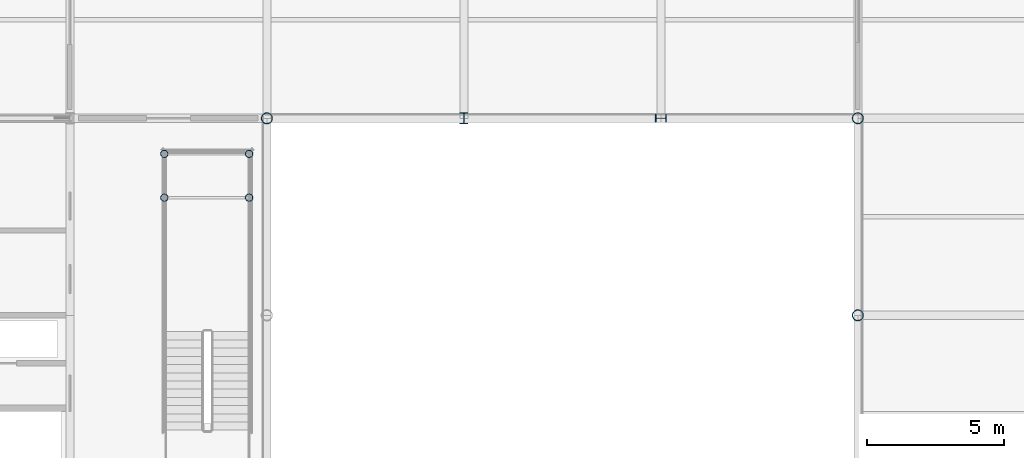
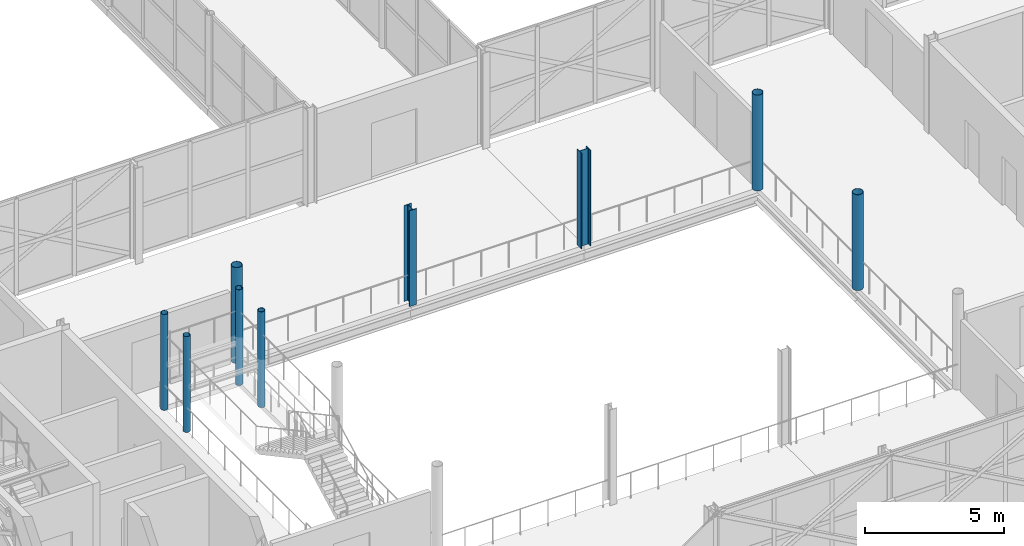
# One storey, part 7 of 146: 9 columns.
"""IFC4 building model written with IfcOpenShell, lengths in metres."""

from ifc_helpers import new_model, si_unit, direction, frame, origin, origin_2d, place, context, subcontext, project, spatial, hollow_circle, i_section, extrude, material, material_profile, profile_set, type_object, element, save


model = new_model("IFC4")

# Units and contexts
model_context = context("Model", 3, precision=1e-05, world=origin(), true_north=direction((0.0, 1.0)))
body_context = subcontext(model_context, "Body", "Model", "MODEL_VIEW")
ifc_project = project(units=[si_unit("LENGTHUNIT", "METRE"), si_unit("AREAUNIT", "SQUARE_METRE"), si_unit("VOLUMEUNIT", "CUBIC_METRE"), si_unit("PLANEANGLEUNIT", "RADIAN"), si_unit("MASSUNIT", "GRAM", prefix="KILO")], contexts=[model_context])

# Site, building, storey
site_placement = place(None, origin())
site = spatial("IfcSite", under=ifc_project, at=site_placement, CompositionType="ELEMENT")
building_placement = place(site_placement, origin())
building = spatial("IfcBuilding", under=site, at=building_placement, Name="Zlatovets Crest Museum", CompositionType="ELEMENT")
storey_placement = place(building_placement, frame((0.0, 0.0, 4.5)))
storey = spatial("IfcBuildingStorey", under=building, at=storey_placement, Name="L01", CompositionType="ELEMENT", Elevation=4.5)

# Columns
ifc_material = material(Name="Structural steel S355J2", Category="steel")
ifc_material_profile_1 = material_profile(ifc_material, i_section(OverallWidth=0.300048828125, OverallDepth=0.39990234375, WebThickness=0.013427734375, FlangeThickness=0.02392578125, FilletRadius=0.027099609375, at=origin_2d()), Name="HEB 400")
ifc_profile_set_1 = profile_set([ifc_material_profile_1], Name="Structural steel S355J2")
column_type_1 = type_object("IfcColumnType", Name="Col_C-07", PredefinedType="COLUMN", material=ifc_profile_set_1)
for number, where, z_axis, x_axis, name in (
    (1, (79.199951171875, 21.60009765625, 0.0), (0.0, 0.0, 1.0), (1.0, 0.0, 0.0), "V2 L01 Column (79.2, 21.6)"),
    (2, (86.39990234375, 21.60009765625, 0.0), (0.0, 0.0, 1.0), (0.0, 1.0, 0.0), "V2 L01 Column (86.4, 21.6)"),
):
    element("IfcColumn", number, at=place(storey_placement, frame(where, z_axis=z_axis, x_axis=x_axis)), inside=storey, type_object=column_type_1, Name=name, PredefinedType="COLUMN", context=body_context, shape_type="SweptSolid", body=[
        extrude(i_section(OverallWidth=0.300048828125, OverallDepth=0.39990234375, WebThickness=0.013427734375, FlangeThickness=0.02392578125, FilletRadius=0.027099609375, at=origin_2d()), origin(), (0.0, 0.0, 1.0), 4.199951171875),
    ])
ifc_material_profile_2 = material_profile(ifc_material, hollow_circle(Radius=0.203125, WallThickness=0.01611328125, at=origin_2d()), Name="CHS 406.4x16.0")
ifc_profile_set_2 = profile_set([ifc_material_profile_2], Name="Structural steel S355J2")
column_type_2 = type_object("IfcColumnType", Name="Col_C-12", PredefinedType="COLUMN", material=ifc_profile_set_2)
for number, where, z_axis, x_axis, name in (
    (3, (72.0, 21.60009765625, 0.0), (0.0, 0.0, 1.0), (0.0, 1.0, 0.0), "V2 L01 Column (72.0, 21.6)"),
    (4, (93.60009765625, 14.39990234375, 0.0), (0.0, 0.0, 1.0), (0.0, 1.0, 0.0), "V2 L01 Column (93.6, 14.4)"),
    (5, (93.60009765625, 21.60009765625, 0.0), (0.0, 0.0, 1.0), (1.0, 0.0, 0.0), "V2 L01 Column (93.6, 21.6)"),
):
    element("IfcColumn", number, at=place(storey_placement, frame(where, z_axis=z_axis, x_axis=x_axis)), inside=storey, type_object=column_type_2, Name=name, PredefinedType="COLUMN", context=body_context, shape_type="SweptSolid", body=[
        extrude(hollow_circle(Radius=0.203125, WallThickness=0.01611328125, at=origin_2d()), origin(), (0.0, 0.0, 1.0), 4.199951171875),
    ])
ifc_material_profile_3 = material_profile(ifc_material, hollow_circle(Radius=0.136474609375, WallThickness=0.012451171875, at=origin_2d()), Name="CHS 273.0x12.5")
ifc_profile_set_3 = profile_set([ifc_material_profile_3], Name="Structural steel S355J2")
column_type_3 = type_object("IfcColumnType", Name="Col_C-14", PredefinedType="COLUMN", material=ifc_profile_set_3)
for number, where, z_axis, x_axis, name in (
    (6, (68.25, 18.699951171875, 0.0), (0.0, 0.0, 1.0), (1.0, 0.0, 0.0), "Atrium Feature Stair Support Column"),
    (7, (71.35009765625, 18.699951171875, 0.0), (0.0, 0.0, 1.0), (1.0, 0.0, 0.0), "Atrium Feature Stair Support Column"),
    (8, (68.25, 20.300048828125, 0.0), (0.0, 0.0, 1.0), (1.0, 0.0, 0.0), "Atrium Feature Stair Support Column"),
    (9, (71.35009765625, 20.300048828125, 0.0), (0.0, 0.0, 1.0), (1.0, 0.0, 0.0), "Atrium Feature Stair Support Column"),
):
    element("IfcColumn", number, at=place(storey_placement, frame(where, z_axis=z_axis, x_axis=x_axis)), inside=storey, type_object=column_type_3, Name=name, PredefinedType="COLUMN", context=body_context, shape_type="SweptSolid", body=[
        extrude(hollow_circle(Radius=0.136474609375, WallThickness=0.012451171875, at=origin_2d()), origin(), (0.0, 0.0, 1.0), 4.199951171875),
    ])

save(model, "model.ifc")
